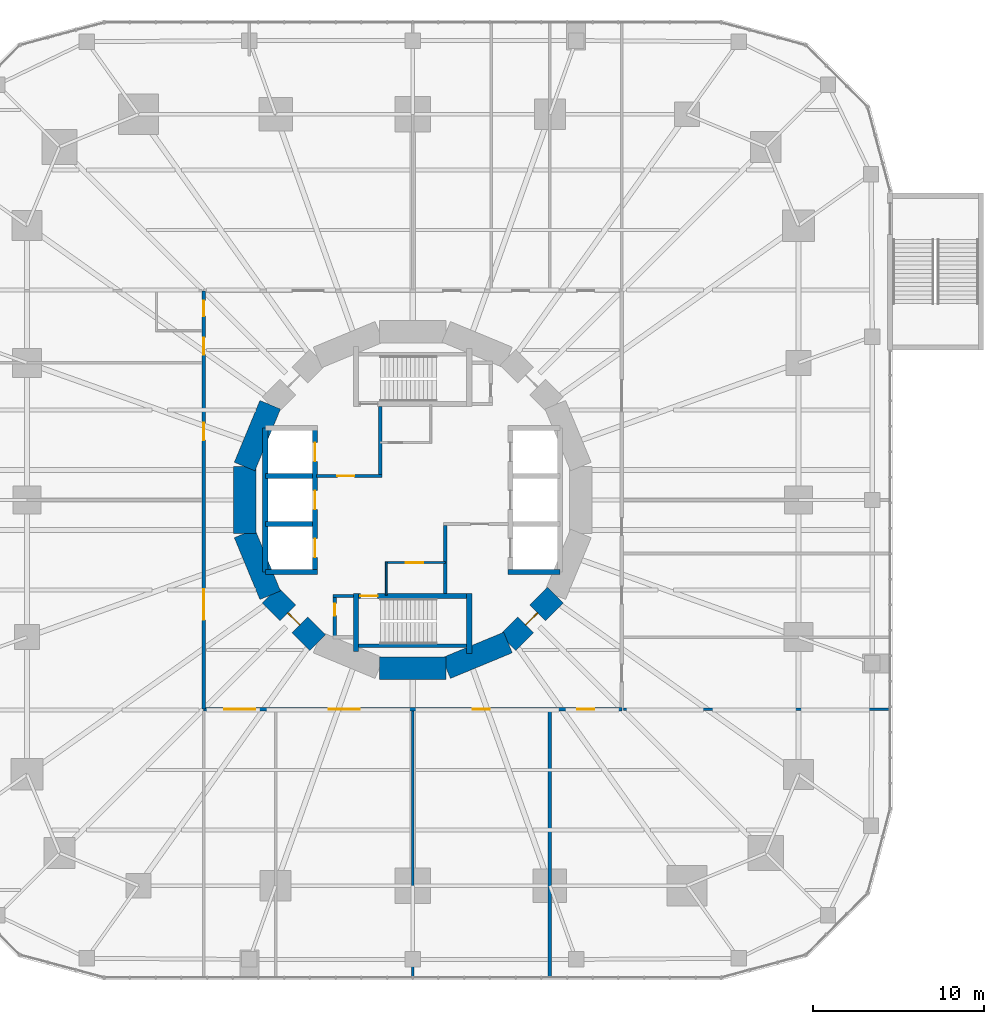
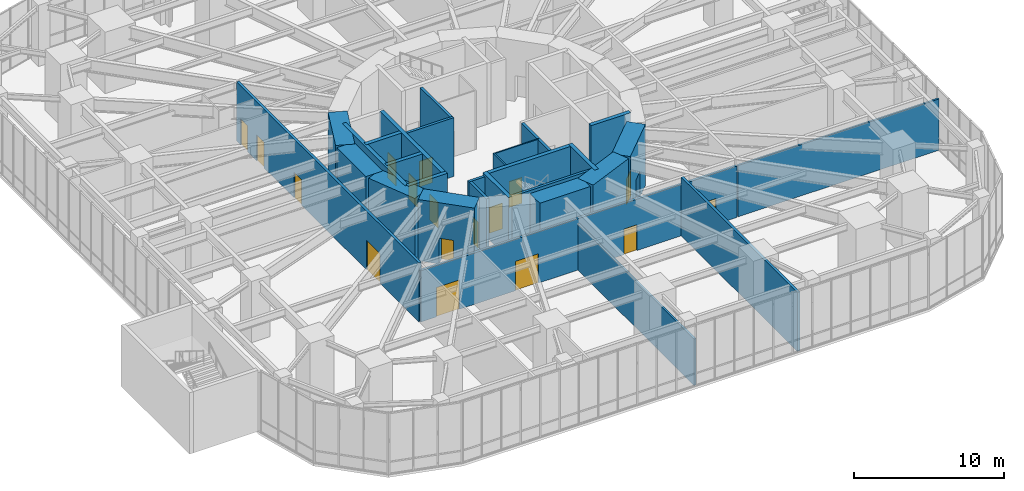
# One storey, part 20 of 24: 29 walls, 17 doors, 17 openings.
"""IFC4 building model written with IfcOpenShell, lengths in metres."""

from ifc_helpers import new_model, si_unit, direction, frame, frame_2d, origin, place, context, subcontext, project, spatial, rectangle, extrude, material, layer, layer_set, type_object, element, fill, save


model = new_model("IFC4")

# Units and contexts
model_context = context("Model", 3, precision=1e-05, world=origin(), true_north=direction((0.0, 1.0)))
body_context = subcontext(model_context, "Body", "Model", "MODEL_VIEW")
ifc_project = project(units=[si_unit("LENGTHUNIT", "METRE"), si_unit("AREAUNIT", "SQUARE_METRE"), si_unit("VOLUMEUNIT", "CUBIC_METRE"), si_unit("PLANEANGLEUNIT", "RADIAN"), si_unit("MASSUNIT", "GRAM", prefix="KILO")], contexts=[model_context])

# Site, building, storey
site_placement = place(None, origin())
site = spatial("IfcSite", under=ifc_project, at=site_placement, CompositionType="ELEMENT")
building_placement = place(site_placement, origin())
building = spatial("IfcBuilding", under=site, at=building_placement, Name="Nakasero Lantern House", CompositionType="ELEMENT")
storey_placement = place(building_placement, frame((0.0, 0.0, 6.0)))
storey = spatial("IfcBuildingStorey", under=building, at=storey_placement, Name="L01", CompositionType="ELEMENT", Elevation=6.0)

# Wall, openings, doors
ifc_material_1 = material(Name="Concrete C50/60", Category="concrete")
ifc_layer_1 = layer(ifc_material_1, 0.300048828125)
ifc_layer_set_1 = layer_set([ifc_layer_1], Name="Core inner wall 300")
wall_type_1 = type_object("IfcWallType", Name="Core inner wall 300", PredefinedType="SHEAR", material=ifc_layer_set_1)
wall_1_placement = place(storey_placement, frame((-5.699951171875, -4.199951171875, 0.0), z_axis=(0.0, 0.0, 1.0), x_axis=(0.0, 1.0, 0.0)))
wall_1 = element("IfcWall", 1, at=wall_1_placement, inside=storey, type_object=wall_type_1, Name="Core inner wall L01 LW", PredefinedType="SHEAR", context=body_context, shape_type="SweptSolid", body=[
    extrude(rectangle(XDim=8.39990234375, YDim=0.300048828125, at=frame_2d((4.199951171875, 0.0))), origin(), (0.0, 0.0, 1.0), 5.0),
])
opening_1_placement = place(wall_1_placement, frame((0.85009765625, 0.0, 0.0)))
opening_1 = element("IfcOpeningElement", 2, at=opening_1_placement, cuts=wall_1, Name="Opening LD", PredefinedType="OPENING", context=body_context, shape_type="SweptSolid", body=[
    extrude(rectangle(XDim=1.10009765625, YDim=2.10009765625, at=frame_2d((0.550048828125, 1.050048828125))), frame((0.0, 0.169921875, 0.0), z_axis=(0.0, -1.0, 0.0), x_axis=(1.0, 0.0, 0.0)), (0.0, 0.0, 1.0), 0.340087890625),
])
opening_2_placement = place(wall_1_placement, frame((3.64990234375, 0.0, 0.0)))
opening_2 = element("IfcOpeningElement", 3, at=opening_2_placement, cuts=wall_1, Name="Opening LD", PredefinedType="OPENING", context=body_context, shape_type="SweptSolid", body=[
    extrude(rectangle(XDim=1.10009765625, YDim=2.10009765625, at=frame_2d((0.550048828125, 1.050048828125))), frame((0.0, 0.169921875, 0.0), z_axis=(0.0, -1.0, 0.0), x_axis=(1.0, 0.0, 0.0)), (0.0, 0.0, 1.0), 0.340087890625),
])
opening_3_placement = place(wall_1_placement, frame((6.449951171875, 0.0, 0.0)))
opening_3 = element("IfcOpeningElement", 4, at=opening_3_placement, cuts=wall_1, Name="Opening LD", PredefinedType="OPENING", context=body_context, shape_type="SweptSolid", body=[
    extrude(rectangle(XDim=1.10009765625, YDim=2.10009765625, at=frame_2d((0.550048828125, 1.050048828125))), frame((0.0, 0.169921875, 0.0), z_axis=(0.0, -1.0, 0.0), x_axis=(1.0, 0.0, 0.0)), (0.0, 0.0, 1.0), 0.340087890625),
])
ifc_material_2 = material(Name="Steel S355", Category="steel")
door_type_1 = type_object("IfcDoorType", Name="Lift landing door E120 1100", OperationType="SLIDING_TO_LEFT", PredefinedType="DOOR", material=ifc_material_2)
door_1_placement = place(opening_1_placement, origin())
door_1 = element("IfcDoor", 5, at=door_1_placement, inside=storey, type_object=door_type_1, Name="Lift landing door LW1", OperationType="SLIDING_TO_LEFT", OverallHeight=2.10009765625, OverallWidth=1.10009765625, PredefinedType="DOOR", context=body_context, shape_type="SweptSolid", body=[
    extrude(rectangle(XDim=1.10009765625, YDim=2.10009765625, at=frame_2d((0.550048828125, 1.050048828125))), frame((0.0, 0.02490234375, 0.0), z_axis=(0.0, -1.0, 0.0), x_axis=(1.0, 0.0, 0.0)), (0.0, 0.0, 1.0), 0.050048828125),
])
fill(opening_1, door_1)
door_2_placement = place(opening_2_placement, origin())
door_2 = element("IfcDoor", 6, at=door_2_placement, inside=storey, type_object=door_type_1, Name="Lift landing door LW2", OperationType="SLIDING_TO_LEFT", OverallHeight=2.10009765625, OverallWidth=1.10009765625, PredefinedType="DOOR", context=body_context, shape_type="SweptSolid", body=[
    extrude(rectangle(XDim=1.10009765625, YDim=2.10009765625, at=frame_2d((0.550048828125, 1.050048828125))), frame((0.0, 0.02490234375, 0.0), z_axis=(0.0, -1.0, 0.0), x_axis=(1.0, 0.0, 0.0)), (0.0, 0.0, 1.0), 0.050048828125),
])
fill(opening_2, door_2)
door_3_placement = place(opening_3_placement, origin())
door_3 = element("IfcDoor", 7, at=door_3_placement, inside=storey, type_object=door_type_1, Name="Lift landing door LW3", OperationType="SLIDING_TO_LEFT", OverallHeight=2.10009765625, OverallWidth=1.10009765625, PredefinedType="DOOR", context=body_context, shape_type="SweptSolid", body=[
    extrude(rectangle(XDim=1.10009765625, YDim=2.10009765625, at=frame_2d((0.550048828125, 1.050048828125))), frame((0.0, 0.02490234375, 0.0), z_axis=(0.0, -1.0, 0.0), x_axis=(1.0, 0.0, 0.0)), (0.0, 0.0, 1.0), 0.050048828125),
])
fill(opening_3, door_3)

# Walls
for number, where, z_axis, x_axis, name in (
    (8, (-8.60009765625, -4.199951171875, 0.0), (0.0, 0.0, 1.0), (1.0, 0.0, 0.0), "Core inner wall L01 LWS"),
    (9, (5.550048828125, -4.199951171875, 0.0), (0.0, 0.0, 1.0), (1.0, 0.0, 0.0), "Core inner wall L01 LES"),
):
    element("IfcWall", number, at=place(storey_placement, frame(where, z_axis=z_axis, x_axis=x_axis)), inside=storey, type_object=wall_type_1, Name=name, PredefinedType="SHEAR", context=body_context, shape_type="SweptSolid", body=[
        extrude(rectangle(XDim=3.050048828125, YDim=0.300048828125, at=frame_2d((1.52490234375, 0.0))), origin(), (0.0, 0.0, 1.0), 5.0),
    ])
wall_2_placement = place(storey_placement, frame((-8.60009765625, -4.199951171875, 0.0), z_axis=(0.0, 0.0, 1.0), x_axis=(0.0, 1.0, 0.0)))
element("IfcWall", 10, at=wall_2_placement, inside=storey, type_object=wall_type_1, Name="Core inner wall L01 LWB", PredefinedType="SHEAR", context=body_context, shape_type="SweptSolid", body=[
    extrude(rectangle(XDim=8.39990234375, YDim=0.300048828125, at=frame_2d((4.199951171875, 0.0))), origin(), (0.0, 0.0, 1.0), 5.0),
])
for number, where, z_axis, x_axis, name in (
    (11, (-8.60009765625, -1.39990234375, 0.0), (0.0, 0.0, 1.0), (1.0, 0.0, 0.0), "Core inner wall L01 LW1"),
    (12, (-8.60009765625, 1.39990234375, 0.0), (0.0, 0.0, 1.0), (1.0, 0.0, 0.0), "Core inner wall L01 LW2"),
):
    element("IfcWall", number, at=place(storey_placement, frame(where, z_axis=z_axis, x_axis=x_axis)), inside=storey, type_object=wall_type_1, Name=name, PredefinedType="SHEAR", context=body_context, shape_type="SweptSolid", body=[
        extrude(rectangle(XDim=2.75, YDim=0.300048828125, at=frame_2d((1.375, 0.0))), origin(), (0.0, 0.0, 1.0), 5.0),
    ])

# Wall, opening, door
wall_3_placement = place(storey_placement, frame((-3.449951171875, -5.60009765625, 0.0), z_axis=(0.0, 0.0, 1.0), x_axis=(1.0, 0.0, 0.0)))
wall_3 = element("IfcWall", 13, at=wall_3_placement, inside=storey, type_object=wall_type_1, Name="Core inner wall L01 SS", PredefinedType="SHEAR", context=body_context, shape_type="SweptSolid", body=[
    extrude(rectangle(XDim=6.89990234375, YDim=0.300048828125, at=frame_2d((3.449951171875, 0.0))), origin(), (0.0, 0.0, 1.0), 5.0),
])
opening_4_placement = place(wall_3_placement, frame((0.39990234375, 0.0, 0.0)))
opening_4 = element("IfcOpeningElement", 14, at=opening_4_placement, cuts=wall_3, Name="Opening D05", PredefinedType="OPENING", context=body_context, shape_type="SweptSolid", body=[
    extrude(rectangle(XDim=1.0, YDim=2.10009765625, at=frame_2d((0.5, 1.050048828125))), frame((0.0, 0.169921875, 0.0), z_axis=(0.0, -1.0, 0.0), x_axis=(1.0, 0.0, 0.0)), (0.0, 0.0, 1.0), 0.340087890625),
])
ifc_material_3 = material(Name="Timber C24", Category="wood")
door_type_2 = type_object("IfcDoorType", Name="Core door FD60S 1000", OperationType="SINGLE_SWING_LEFT", PredefinedType="DOOR", material=ifc_material_3)
door_4_placement = place(opening_4_placement, origin())
door_4 = element("IfcDoor", 15, at=door_4_placement, inside=storey, type_object=door_type_2, Name="Door L01 D-ST2", OperationType="SINGLE_SWING_LEFT", OverallHeight=2.10009765625, OverallWidth=1.0, PredefinedType="DOOR", context=body_context, shape_type="SweptSolid", body=[
    extrude(rectangle(XDim=1.0, YDim=2.10009765625, at=frame_2d((0.5, 1.050048828125))), frame((0.0, 0.02490234375, 0.0), z_axis=(0.0, -1.0, 0.0), x_axis=(1.0, 0.0, 0.0)), (0.0, 0.0, 1.0), 0.050048828125),
])
fill(opening_4, door_4)

# Walls
wall_4_placement = place(storey_placement, frame((-3.300048828125, -5.449951171875, 0.0), z_axis=(0.0, 0.0, 1.0), x_axis=(0.0, -1.0, 0.0)))
element("IfcWall", 16, at=wall_4_placement, inside=storey, type_object=wall_type_1, Name="Core inner wall L01 SSW", PredefinedType="SHEAR", context=body_context, shape_type="SweptSolid", body=[
    extrude(rectangle(XDim=3.400146484375, YDim=0.300048828125, at=frame_2d((1.7001953125, 0.0))), origin(), (0.0, 0.0, 1.0), 5.0),
])
wall_5_placement = place(storey_placement, frame((3.300048828125, -5.449951171875, 0.0), z_axis=(0.0, 0.0, 1.0), x_axis=(0.0, -1.0, 0.0)))
element("IfcWall", 17, at=wall_5_placement, inside=storey, type_object=wall_type_1, Name="Core inner wall L01 SSE", PredefinedType="SHEAR", context=body_context, shape_type="SweptSolid", body=[
    extrude(rectangle(XDim=3.5, YDim=0.300048828125, at=frame_2d((1.75, 0.0))), origin(), (0.0, 0.0, 1.0), 5.0),
])

# Wall, opening, door
ifc_material_4 = material(Name="Blockwork", Category="masonry")
ifc_layer_2 = layer(ifc_material_4, 0.10009765625)
ifc_layer_set_2 = layer_set([ifc_layer_2], Name="Core room wall 100")
wall_type_2 = type_object("IfcWallType", Name="Core room wall 100", PredefinedType="PARTITIONING", material=ifc_layer_set_2)
wall_6_placement = place(storey_placement, frame((-1.60009765625, -3.64990234375, 0.0), z_axis=(0.0, 0.0, 1.0), x_axis=(1.0, 0.0, 0.0)))
wall_6 = element("IfcWall", 18, at=wall_6_placement, inside=storey, type_object=wall_type_2, Name="Core room wall L01 CR-SWN", PredefinedType="PARTITIONING", context=body_context, shape_type="SweptSolid", body=[
    extrude(rectangle(XDim=3.5, YDim=0.10009765625, at=frame_2d((1.75, 0.0))), origin(), (0.0, 0.0, 1.0), 4.800048828125),
])
opening_5_placement = place(wall_6_placement, frame((1.199951171875, 0.0, 0.0)))
opening_5 = element("IfcOpeningElement", 19, at=opening_5_placement, cuts=wall_6, Name="Opening D07", PredefinedType="OPENING", context=body_context, shape_type="SweptSolid", body=[
    extrude(rectangle(XDim=1.0, YDim=2.10009765625, at=frame_2d((0.5, 1.050048828125))), frame((0.0, 0.070068359375, 0.0), z_axis=(0.0, -1.0, 0.0), x_axis=(1.0, 0.0, 0.0)), (0.0, 0.0, 1.0), 0.14013671875),
])
ifc_material_5 = material(Name="Timber C24", Category="wood")
door_type_3 = type_object("IfcDoorType", Name="Room door FD30S 1000", OperationType="SINGLE_SWING_LEFT", PredefinedType="DOOR", material=ifc_material_5)
door_5_placement = place(opening_5_placement, origin())
door_5 = element("IfcDoor", 20, at=door_5_placement, inside=storey, type_object=door_type_3, Name="Door L01 D-CR-SW", OperationType="SINGLE_SWING_LEFT", OverallHeight=2.10009765625, OverallWidth=1.0, PredefinedType="DOOR", context=body_context, shape_type="SweptSolid", body=[
    extrude(rectangle(XDim=1.0, YDim=2.10009765625, at=frame_2d((0.5, 1.050048828125))), frame((0.0, 0.02490234375, 0.0), z_axis=(0.0, -1.0, 0.0), x_axis=(1.0, 0.0, 0.0)), (0.0, 0.0, 1.0), 0.050048828125),
])
fill(opening_5, door_5)

# Walls
wall_7_placement = place(storey_placement, frame((-1.550048828125, -5.550048828125, 0.0), z_axis=(0.0, 0.0, 1.0), x_axis=(0.0, 1.0, 0.0)))
element("IfcWall", 21, at=wall_7_placement, inside=storey, type_object=wall_type_2, Name="Core room wall L01 CR-SWW", PredefinedType="PARTITIONING", context=body_context, shape_type="SweptSolid", body=[
    extrude(rectangle(XDim=1.949951171875, YDim=0.10009765625, at=frame_2d((0.97509765625, 0.0))), origin(), (0.0, 0.0, 1.0), 4.800048828125),
])
ifc_material_6 = material(Name="Concrete C50/60", Category="concrete")
ifc_layer_3 = layer(ifc_material_6, 1.300048828125)
ifc_layer_set_3 = layer_set([ifc_layer_3], Name="Core wall 1300")
wall_type_3 = type_object("IfcWallType", Name="Core wall 1300", PredefinedType="SHEAR", material=ifc_layer_set_3)
for number, where, z_axis, x_axis, name in (
    (22, (-8.314697265625, 5.5556640625, 0.0), (0.0, 0.0, 1.0), (-0.382690736062, -0.923876507187, 0.0), "Core wall L01 facet 7"),
    (23, (-9.807861328125, 1.950927734375, 0.0), (0.0, 0.0, 1.0), (0.0, -1.0, 0.0), "Core wall L01 facet 8"),
    (24, (-9.807861328125, -1.950927734375, 0.0), (0.0, 0.0, 1.0), (0.382690736062, -0.923876507187, 0.0), "Core wall L01 facet 9"),
):
    element("IfcWall", number, at=place(storey_placement, frame(where, z_axis=z_axis, x_axis=x_axis)), inside=storey, type_object=wall_type_3, Name=name, PredefinedType="SHEAR", context=body_context, shape_type="SweptSolid", body=[
        extrude(rectangle(XDim=3.90185546875, YDim=1.300048828125, at=frame_2d((1.950927734375, 0.0))), origin(), (0.0, 0.0, 1.0), 5.0),
    ])

# Wall, opening, door
wall_8_placement = place(storey_placement, frame((-8.314697265625, -5.5556640625, 0.0), z_axis=(0.0, 0.0, 1.0), x_axis=(0.707106781187, -0.707106781187, 0.0)))
wall_8 = element("IfcWall", 25, at=wall_8_placement, inside=storey, type_object=wall_type_3, Name="Core wall L01 facet 10", PredefinedType="SHEAR", context=body_context, shape_type="SweptSolid", body=[
    extrude(rectangle(XDim=3.90185546875, YDim=1.300048828125, at=frame_2d((1.950927734375, 0.0))), origin(), (0.0, 0.0, 1.0), 5.0),
])
opening_6_placement = place(wall_8_placement, frame((1.450927734375, 0.0, 0.0)))
opening_6 = element("IfcOpeningElement", 26, at=opening_6_placement, cuts=wall_8, Name="Opening D05", PredefinedType="OPENING", context=body_context, shape_type="SweptSolid", body=[
    extrude(rectangle(XDim=1.0, YDim=2.10009765625, at=frame_2d((0.5, 1.050048828125))), frame((0.0, 0.669921875, 0.0), z_axis=(0.0, -1.0, 0.0), x_axis=(1.0, 0.0, 0.0)), (0.0, 0.0, 1.0), 1.340087890625),
])
door_6_placement = place(opening_6_placement, origin())
door_6 = element("IfcDoor", 27, at=door_6_placement, inside=storey, type_object=door_type_2, Name="Door L01 D-CORE10", OperationType="SINGLE_SWING_LEFT", OverallHeight=2.10009765625, OverallWidth=1.0, PredefinedType="DOOR", context=body_context, shape_type="SweptSolid", body=[
    extrude(rectangle(XDim=1.0, YDim=2.10009765625, at=frame_2d((0.5, 1.050048828125))), frame((0.0, 0.02490234375, 0.0), z_axis=(0.0, -1.0, 0.0), x_axis=(1.0, 0.0, 0.0)), (0.0, 0.0, 1.0), 0.050048828125),
])
fill(opening_6, door_6)

# Walls
for number, where, z_axis, x_axis, name in (
    (28, (-1.950927734375, -9.807861328125, 0.0), (0.0, 0.0, 1.0), (1.0, 0.0, 0.0), "Core wall L01 facet 12"),
    (29, (1.950927734375, -9.807861328125, 0.0), (0.0, 0.0, 1.0), (0.923876507187, 0.382690736062, 0.0), "Core wall L01 facet 13"),
):
    element("IfcWall", number, at=place(storey_placement, frame(where, z_axis=z_axis, x_axis=x_axis)), inside=storey, type_object=wall_type_3, Name=name, PredefinedType="SHEAR", context=body_context, shape_type="SweptSolid", body=[
        extrude(rectangle(XDim=3.90185546875, YDim=1.300048828125, at=frame_2d((1.950927734375, 0.0))), origin(), (0.0, 0.0, 1.0), 5.0),
    ])

# Wall, opening, door
wall_9_placement = place(storey_placement, frame((5.5556640625, -8.314697265625, 0.0), z_axis=(0.0, 0.0, 1.0), x_axis=(0.707106781187, 0.707106781187, 0.0)))
wall_9 = element("IfcWall", 30, at=wall_9_placement, inside=storey, type_object=wall_type_3, Name="Core wall L01 facet 14", PredefinedType="SHEAR", context=body_context, shape_type="SweptSolid", body=[
    extrude(rectangle(XDim=3.90185546875, YDim=1.300048828125, at=frame_2d((1.950927734375, 0.0))), origin(), (0.0, 0.0, 1.0), 5.0),
])
opening_7_placement = place(wall_9_placement, frame((1.450927734375, 0.0, 0.0)))
opening_7 = element("IfcOpeningElement", 31, at=opening_7_placement, cuts=wall_9, Name="Opening D05", PredefinedType="OPENING", context=body_context, shape_type="SweptSolid", body=[
    extrude(rectangle(XDim=1.0, YDim=2.10009765625, at=frame_2d((0.5, 1.050048828125))), frame((0.0, 0.669921875, 0.0), z_axis=(0.0, -1.0, 0.0), x_axis=(1.0, 0.0, 0.0)), (0.0, 0.0, 1.0), 1.340087890625),
])
door_7_placement = place(opening_7_placement, origin())
door_7 = element("IfcDoor", 32, at=door_7_placement, inside=storey, type_object=door_type_2, Name="Door L01 D-CORE14", OperationType="SINGLE_SWING_LEFT", OverallHeight=2.10009765625, OverallWidth=1.0, PredefinedType="DOOR", context=body_context, shape_type="SweptSolid", body=[
    extrude(rectangle(XDim=1.0, YDim=2.10009765625, at=frame_2d((0.5, 1.050048828125))), frame((0.0, 0.02490234375, 0.0), z_axis=(0.0, -1.0, 0.0), x_axis=(1.0, 0.0, 0.0)), (0.0, 0.0, 1.0), 0.050048828125),
])
fill(opening_7, door_7)

# Wall, openings, doors
ifc_material_7 = material(Name="Blockwork", Category="masonry")
ifc_layer_4 = layer(ifc_material_7, 0.199951171875)
ifc_layer_set_4 = layer_set([ifc_layer_4], Name="Corridor wall 200")
wall_type_4 = type_object("IfcWallType", Name="Corridor wall 200", PredefinedType="PARTITIONING", material=ifc_layer_set_4)
wall_10_placement = place(storey_placement, frame((-12.199951171875, 12.199951171875, 0.0), z_axis=(0.0, 0.0, 1.0), x_axis=(0.0, -1.0, 0.0)))
wall_10 = element("IfcWall", 33, at=wall_10_placement, inside=storey, type_object=wall_type_4, Name="Corridor wall L01 CW2", PredefinedType="PARTITIONING", context=body_context, shape_type="SweptSolid", body=[
    extrude(rectangle(XDim=24.39990234375, YDim=0.199951171875, at=frame_2d((12.199951171875, 0.0))), origin(), (0.0, 0.0, 1.0), 4.800048828125),
])
opening_8_placement = place(wall_10_placement, frame((0.574951171875, 0.0, 0.0)))
opening_8 = element("IfcOpeningElement", 34, at=opening_8_placement, cuts=wall_10, Name="Opening D16", PredefinedType="OPENING", context=body_context, shape_type="SweptSolid", body=[
    extrude(rectangle(XDim=0.89990234375, YDim=2.10009765625, at=frame_2d((0.449951171875, 1.050048828125))), frame((0.0, 0.119873046875, 0.0), z_axis=(0.0, -1.0, 0.0), x_axis=(1.0, 0.0, 0.0)), (0.0, 0.0, 1.0), 0.239990234375),
])
opening_9_placement = place(wall_10_placement, frame((2.72509765625, 0.0, 0.0)))
opening_9 = element("IfcOpeningElement", 35, at=opening_9_placement, cuts=wall_10, Name="Opening D07", PredefinedType="OPENING", context=body_context, shape_type="SweptSolid", body=[
    extrude(rectangle(XDim=1.0, YDim=2.10009765625, at=frame_2d((0.5, 1.050048828125))), frame((0.0, 0.119873046875, 0.0), z_axis=(0.0, -1.0, 0.0), x_axis=(1.0, 0.0, 0.0)), (0.0, 0.0, 1.0), 0.239990234375),
])
opening_10_placement = place(wall_10_placement, frame((7.699951171875, 0.0, 0.0)))
opening_10 = element("IfcOpeningElement", 36, at=opening_10_placement, cuts=wall_10, Name="Opening D07", PredefinedType="OPENING", context=body_context, shape_type="SweptSolid", body=[
    extrude(rectangle(XDim=1.0, YDim=2.10009765625, at=frame_2d((0.5, 1.050048828125))), frame((0.0, 0.119873046875, 0.0), z_axis=(0.0, -1.0, 0.0), x_axis=(1.0, 0.0, 0.0)), (0.0, 0.0, 1.0), 0.239990234375),
])
opening_11_placement = place(wall_10_placement, frame((17.39990234375, 0.0, 0.0)))
opening_11 = element("IfcOpeningElement", 37, at=opening_11_placement, cuts=wall_10, Name="Opening D12", PredefinedType="OPENING", context=body_context, shape_type="SweptSolid", body=[
    extrude(rectangle(XDim=1.800048828125, YDim=2.39990234375, at=frame_2d((0.89990234375, 1.199951171875))), frame((0.0, 0.119873046875, 0.0), z_axis=(0.0, -1.0, 0.0), x_axis=(1.0, 0.0, 0.0)), (0.0, 0.0, 1.0), 0.239990234375),
])
ifc_material_8 = material(Name="Timber C24", Category="wood")
door_type_4 = type_object("IfcDoorType", Name="Accessible WC door 900", OperationType="SINGLE_SWING_RIGHT", PredefinedType="DOOR", material=ifc_material_8)
door_8_placement = place(opening_8_placement, origin())
door_8 = element("IfcDoor", 38, at=door_8_placement, inside=storey, type_object=door_type_4, Name="Door L01 DW2-00", OperationType="SINGLE_SWING_LEFT", OverallHeight=2.10009765625, OverallWidth=0.89990234375, PredefinedType="DOOR", context=body_context, shape_type="SweptSolid", body=[
    extrude(rectangle(XDim=0.89990234375, YDim=2.10009765625, at=frame_2d((0.449951171875, 1.050048828125))), frame((0.0, 0.02490234375, 0.0), z_axis=(0.0, -1.0, 0.0), x_axis=(1.0, 0.0, 0.0)), (0.0, 0.0, 1.0), 0.050048828125),
])
fill(opening_8, door_8)
door_9_placement = place(opening_9_placement, origin())
door_9 = element("IfcDoor", 39, at=door_9_placement, inside=storey, type_object=door_type_3, Name="Door L01 D2-00", OperationType="SINGLE_SWING_LEFT", OverallHeight=2.10009765625, OverallWidth=1.0, PredefinedType="DOOR", context=body_context, shape_type="SweptSolid", body=[
    extrude(rectangle(XDim=1.0, YDim=2.10009765625, at=frame_2d((0.5, 1.050048828125))), frame((0.0, 0.02490234375, 0.0), z_axis=(0.0, -1.0, 0.0), x_axis=(1.0, 0.0, 0.0)), (0.0, 0.0, 1.0), 0.050048828125),
])
fill(opening_9, door_9)
door_10_placement = place(opening_10_placement, origin())
door_10 = element("IfcDoor", 40, at=door_10_placement, inside=storey, type_object=door_type_3, Name="Door L01 D2-01", OperationType="SINGLE_SWING_LEFT", OverallHeight=2.10009765625, OverallWidth=1.0, PredefinedType="DOOR", context=body_context, shape_type="SweptSolid", body=[
    extrude(rectangle(XDim=1.0, YDim=2.10009765625, at=frame_2d((0.5, 1.050048828125))), frame((0.0, 0.02490234375, 0.0), z_axis=(0.0, -1.0, 0.0), x_axis=(1.0, 0.0, 0.0)), (0.0, 0.0, 1.0), 0.050048828125),
])
fill(opening_10, door_10)
ifc_material_9 = material(Name="Timber C24", Category="wood")
door_type_5 = type_object("IfcDoorType", Name="Room doors FD30S 1800", OperationType="DOUBLE_DOOR_SINGLE_SWING", PredefinedType="DOOR", material=ifc_material_9)
door_11_placement = place(opening_11_placement, origin())
door_11 = element("IfcDoor", 41, at=door_11_placement, inside=storey, type_object=door_type_5, Name="Door L01 D2-02", OperationType="DOUBLE_DOOR_SINGLE_SWING", OverallHeight=2.39990234375, OverallWidth=1.800048828125, PredefinedType="DOOR", context=body_context, shape_type="SweptSolid", body=[
    extrude(rectangle(XDim=1.800048828125, YDim=2.39990234375, at=frame_2d((0.89990234375, 1.199951171875))), frame((0.0, 0.02490234375, 0.0), z_axis=(0.0, -1.0, 0.0), x_axis=(1.0, 0.0, 0.0)), (0.0, 0.0, 1.0), 0.050048828125),
])
fill(opening_11, door_11)

wall_11_placement = place(storey_placement, frame((-12.199951171875, -12.199951171875, 0.0), z_axis=(0.0, 0.0, 1.0), x_axis=(1.0, 0.0, 0.0)))
wall_11 = element("IfcWall", 42, at=wall_11_placement, inside=storey, type_object=wall_type_4, Name="Corridor wall L01 CW3", PredefinedType="PARTITIONING", context=body_context, shape_type="SweptSolid", body=[
    extrude(rectangle(XDim=24.39990234375, YDim=0.199951171875, at=frame_2d((12.199951171875, 0.0))), origin(), (0.0, 0.0, 1.0), 4.187744140625),
])
opening_12_placement = place(wall_11_placement, frame((1.199951171875, 0.0, 0.0)))
opening_12 = element("IfcOpeningElement", 43, at=opening_12_placement, cuts=wall_11, Name="Opening D12", PredefinedType="OPENING", context=body_context, shape_type="SweptSolid", body=[
    extrude(rectangle(XDim=1.800048828125, YDim=2.39990234375, at=frame_2d((0.89990234375, 1.199951171875))), frame((0.0, 0.119873046875, 0.0), z_axis=(0.0, -1.0, 0.0), x_axis=(1.0, 0.0, 0.0)), (0.0, 0.0, 1.0), 0.239990234375),
])
opening_13_placement = place(wall_11_placement, frame((7.300048828125, 0.0, 0.0)))
opening_13 = element("IfcOpeningElement", 44, at=opening_13_placement, cuts=wall_11, Name="Opening D12", PredefinedType="OPENING", context=body_context, shape_type="SweptSolid", body=[
    extrude(rectangle(XDim=1.800048828125, YDim=2.39990234375, at=frame_2d((0.89990234375, 1.199951171875))), frame((0.0, 0.119873046875, 0.0), z_axis=(0.0, -1.0, 0.0), x_axis=(1.0, 0.0, 0.0)), (0.0, 0.0, 1.0), 0.239990234375),
])
opening_14_placement = place(wall_11_placement, frame((15.699951171875, 0.0, 0.0)))
opening_14 = element("IfcOpeningElement", 45, at=opening_14_placement, cuts=wall_11, Name="Opening D07", PredefinedType="OPENING", context=body_context, shape_type="SweptSolid", body=[
    extrude(rectangle(XDim=1.0, YDim=2.10009765625, at=frame_2d((0.5, 1.050048828125))), frame((0.0, 0.119873046875, 0.0), z_axis=(0.0, -1.0, 0.0), x_axis=(1.0, 0.0, 0.0)), (0.0, 0.0, 1.0), 0.239990234375),
])
opening_15_placement = place(wall_11_placement, frame((21.79833984375, 0.0, 0.0)))
opening_15 = element("IfcOpeningElement", 46, at=opening_15_placement, cuts=wall_11, Name="Opening D13", PredefinedType="OPENING", context=body_context, shape_type="SweptSolid", body=[
    extrude(rectangle(XDim=1.0, YDim=2.10009765625, at=frame_2d((0.5, 1.050048828125))), frame((0.0, 0.119873046875, 0.0), z_axis=(0.0, -1.0, 0.0), x_axis=(1.0, 0.0, 0.0)), (0.0, 0.0, 1.0), 0.239990234375),
])
ifc_material_10 = material(Name="Steel S355", Category="steel")
door_type_6 = type_object("IfcDoorType", Name="Plant room door FD60 1000", OperationType="SINGLE_SWING_LEFT", PredefinedType="DOOR", material=ifc_material_10)
door_12_placement = place(opening_15_placement, origin())
door_12 = element("IfcDoor", 47, at=door_12_placement, inside=storey, type_object=door_type_6, Name="Door L01 D3-03", OperationType="SINGLE_SWING_RIGHT", OverallHeight=2.10009765625, OverallWidth=1.0, PredefinedType="DOOR", context=body_context, shape_type="SweptSolid", body=[
    extrude(rectangle(XDim=1.0, YDim=2.10009765625, at=frame_2d((0.5, 1.050048828125))), frame((0.0, 0.02490234375, 0.0), z_axis=(0.0, -1.0, 0.0), x_axis=(1.0, 0.0, 0.0)), (0.0, 0.0, 1.0), 0.050048828125),
])
fill(opening_15, door_12)
door_13_placement = place(opening_14_placement, origin())
door_13 = element("IfcDoor", 48, at=door_13_placement, inside=storey, type_object=door_type_3, Name="Door L01 D3-02", OperationType="SINGLE_SWING_RIGHT", OverallHeight=2.10009765625, OverallWidth=1.0, PredefinedType="DOOR", context=body_context, shape_type="SweptSolid", body=[
    extrude(rectangle(XDim=1.0, YDim=2.10009765625, at=frame_2d((0.5, 1.050048828125))), frame((0.0, 0.02490234375, 0.0), z_axis=(0.0, -1.0, 0.0), x_axis=(1.0, 0.0, 0.0)), (0.0, 0.0, 1.0), 0.050048828125),
])
fill(opening_14, door_13)
door_14_placement = place(opening_12_placement, origin())
door_14 = element("IfcDoor", 49, at=door_14_placement, inside=storey, type_object=door_type_5, Name="Door L01 D3-00", OperationType="DOUBLE_DOOR_SINGLE_SWING", OverallHeight=2.39990234375, OverallWidth=1.800048828125, PredefinedType="DOOR", context=body_context, shape_type="SweptSolid", body=[
    extrude(rectangle(XDim=1.800048828125, YDim=2.39990234375, at=frame_2d((0.89990234375, 1.199951171875))), frame((0.0, 0.02490234375, 0.0), z_axis=(0.0, -1.0, 0.0), x_axis=(1.0, 0.0, 0.0)), (0.0, 0.0, 1.0), 0.050048828125),
])
fill(opening_12, door_14)
door_15_placement = place(opening_13_placement, origin())
door_15 = element("IfcDoor", 50, at=door_15_placement, inside=storey, type_object=door_type_5, Name="Door L01 D3-01", OperationType="DOUBLE_DOOR_SINGLE_SWING", OverallHeight=2.39990234375, OverallWidth=1.800048828125, PredefinedType="DOOR", context=body_context, shape_type="SweptSolid", body=[
    extrude(rectangle(XDim=1.800048828125, YDim=2.39990234375, at=frame_2d((0.89990234375, 1.199951171875))), frame((0.0, 0.02490234375, 0.0), z_axis=(0.0, -1.0, 0.0), x_axis=(1.0, 0.0, 0.0)), (0.0, 0.0, 1.0), 0.050048828125),
])
fill(opening_13, door_15)

# Wall, opening, door
ifc_material_11 = material(Name="Blockwork", Category="masonry")
ifc_layer_5 = layer(ifc_material_11, 0.199951171875)
ifc_layer_set_5 = layer_set([ifc_layer_5], Name="Fire lobby wall 200")
wall_type_5 = type_object("IfcWallType", Name="Fire lobby wall 200", PredefinedType="PARTITIONING", material=ifc_layer_set_5)
wall_12_placement = place(storey_placement, frame((-5.60009765625, 1.39990234375, 0.0), z_axis=(0.0, 0.0, 1.0), x_axis=(1.0, 0.0, 0.0)))
wall_12 = element("IfcWall", 51, at=wall_12_placement, inside=storey, type_object=wall_type_5, Name="Fire lobby wall L01 W-FL1S", PredefinedType="PARTITIONING", context=body_context, shape_type="SweptSolid", body=[
    extrude(rectangle(XDim=3.800048828125, YDim=0.199951171875, at=frame_2d((1.89990234375, 0.0))), origin(), (0.0, 0.0, 1.0), 4.800048828125),
])
opening_16_placement = place(wall_12_placement, frame((1.199951171875, 0.0, 0.0)))
opening_16 = element("IfcOpeningElement", 52, at=opening_16_placement, cuts=wall_12, Name="Opening D05", PredefinedType="OPENING", context=body_context, shape_type="SweptSolid", body=[
    extrude(rectangle(XDim=1.0, YDim=2.10009765625, at=frame_2d((0.5, 1.050048828125))), frame((0.0, 0.119873046875, 0.0), z_axis=(0.0, -1.0, 0.0), x_axis=(1.0, 0.0, 0.0)), (0.0, 0.0, 1.0), 0.239990234375),
])
door_16_placement = place(opening_16_placement, origin())
door_16 = element("IfcDoor", 53, at=door_16_placement, inside=storey, type_object=door_type_2, Name="Door L01 D-FL1", OperationType="SINGLE_SWING_LEFT", OverallHeight=2.10009765625, OverallWidth=1.0, PredefinedType="DOOR", context=body_context, shape_type="SweptSolid", body=[
    extrude(rectangle(XDim=1.0, YDim=2.10009765625, at=frame_2d((0.5, 1.050048828125))), frame((0.0, 0.02490234375, 0.0), z_axis=(0.0, -1.0, 0.0), x_axis=(1.0, 0.0, 0.0)), (0.0, 0.0, 1.0), 0.050048828125),
])
fill(opening_16, door_16)

# Walls
for number, where, z_axis, x_axis, name in (
    (54, (-1.89990234375, 1.5, 0.0), (0.0, 0.0, 1.0), (0.0, 1.0, 0.0), "Fire lobby wall L01 W-FL1E"),
    (55, (1.89990234375, -1.5, 0.0), (0.0, 0.0, 1.0), (0.0, -1.0, 0.0), "Fire lobby wall L01 W-FL2W"),
):
    element("IfcWall", number, at=place(storey_placement, frame(where, z_axis=z_axis, x_axis=x_axis)), inside=storey, type_object=wall_type_5, Name=name, PredefinedType="PARTITIONING", context=body_context, shape_type="SweptSolid", body=[
        extrude(rectangle(XDim=3.949951171875, YDim=0.199951171875, at=frame_2d((1.97509765625, 0.0))), origin(), (0.0, 0.0, 1.0), 4.800048828125),
    ])

# Wall, opening, door
wall_13_placement = place(storey_placement, frame((-4.550048828125, -5.60009765625, 0.0), z_axis=(0.0, 0.0, 1.0), x_axis=(0.0, -1.0, 0.0)))
wall_13 = element("IfcWall", 56, at=wall_13_placement, inside=storey, type_object=wall_type_5, Name="Fire lobby wall L01 W-RS2W", PredefinedType="PARTITIONING", context=body_context, shape_type="SweptSolid", body=[
    extrude(rectangle(XDim=2.39990234375, YDim=0.199951171875, at=frame_2d((1.199951171875, 0.0))), origin(), (0.0, 0.0, 1.0), 4.800048828125),
])
opening_17_placement = place(wall_13_placement, frame((0.449951171875, 0.0, 0.0)))
opening_17 = element("IfcOpeningElement", 57, at=opening_17_placement, cuts=wall_13, Name="Opening D06", PredefinedType="OPENING", context=body_context, shape_type="SweptSolid", body=[
    extrude(rectangle(XDim=0.699951171875, YDim=2.10009765625, at=frame_2d((0.35009765625, 1.050048828125))), frame((0.0, 0.119873046875, 0.0), z_axis=(0.0, -1.0, 0.0), x_axis=(1.0, 0.0, 0.0)), (0.0, 0.0, 1.0), 0.239990234375),
])
ifc_material_12 = material(Name="Steel S355", Category="steel")
door_type_7 = type_object("IfcDoorType", Name="Riser door FD60 700", OperationType="SINGLE_SWING_LEFT", PredefinedType="DOOR", material=ifc_material_12)
door_17_placement = place(opening_17_placement, origin())
door_17 = element("IfcDoor", 58, at=door_17_placement, inside=storey, type_object=door_type_7, Name="Door L01 D-RS2", OperationType="SINGLE_SWING_LEFT", OverallHeight=2.10009765625, OverallWidth=0.699951171875, PredefinedType="DOOR", context=body_context, shape_type="SweptSolid", body=[
    extrude(rectangle(XDim=0.699951171875, YDim=2.10009765625, at=frame_2d((0.35009765625, 1.050048828125))), frame((0.0, 0.02490234375, 0.0), z_axis=(0.0, -1.0, 0.0), x_axis=(1.0, 0.0, 0.0)), (0.0, 0.0, 1.0), 0.050048828125),
])
fill(opening_17, door_17)

# Walls
wall_14_placement = place(storey_placement, frame((-3.449951171875, -5.60009765625, 0.0), z_axis=(0.0, 0.0, 1.0), x_axis=(-1.0, 0.0, 0.0)))
element("IfcWall", 59, at=wall_14_placement, inside=storey, type_object=wall_type_5, Name="Fire lobby wall L01 W-RS2N", PredefinedType="PARTITIONING", context=body_context, shape_type="SweptSolid", body=[
    extrude(rectangle(XDim=1.199951171875, YDim=0.199951171875, at=frame_2d((0.60009765625, 0.0))), origin(), (0.0, 0.0, 1.0), 4.800048828125),
])
wall_15_placement = place(storey_placement, frame((-3.300048828125, -8.5, 0.0), z_axis=(0.0, 0.0, 1.0), x_axis=(1.0, 0.0, 0.0)))
element("IfcWall", 60, at=wall_15_placement, inside=storey, type_object=wall_type_5, Name="Fire lobby wall L01 W-STS", PredefinedType="PARTITIONING", context=body_context, shape_type="SweptSolid", body=[
    extrude(rectangle(XDim=6.60009765625, YDim=0.199951171875, at=frame_2d((3.300048828125, 0.0))), origin(), (0.0, 0.0, 1.0), 4.800048828125),
])
wall_16_placement = place(storey_placement, frame((8.0, -12.300048828125, 0.0), z_axis=(0.0, 0.0, 1.0), x_axis=(0.0, -1.0, 0.0)))
element("IfcWall", 61, at=wall_16_placement, inside=storey, type_object=wall_type_5, Name="Fire lobby wall L01 PW3-03", PredefinedType="PARTITIONING", context=body_context, shape_type="SweptSolid", body=[
    extrude(rectangle(XDim=15.550048828125, YDim=0.199951171875, at=frame_2d((7.77490234375, 0.0))), origin(), (0.0, 0.0, 1.0), 4.800048828125),
])
ifc_material_13 = material(Name="Blockwork", Category="masonry")
ifc_layer_6 = layer(ifc_material_13, 0.14990234375)
ifc_layer_set_6 = layer_set([ifc_layer_6], Name="Party wall 150")
wall_type_6 = type_object("IfcWallType", Name="Party wall 150", PredefinedType="PARTITIONING", material=ifc_layer_set_6)
wall_17_placement = place(storey_placement, frame((12.300048828125, -12.199951171875, 0.0), z_axis=(0.0, 0.0, 1.0), x_axis=(1.0, 0.0, 0.0)))
element("IfcWall", 62, at=wall_17_placement, inside=storey, type_object=wall_type_6, Name="Party wall L01 PW0-00", PredefinedType="PARTITIONING", context=body_context, shape_type="SweptSolid", body=[
    extrude(rectangle(XDim=15.550048828125, YDim=0.14990234375, at=frame_2d((7.77490234375, 0.0))), origin(), (0.0, 0.0, 1.0), 4.187744140625),
])
wall_18_placement = place(storey_placement, frame((0.0, -12.300048828125, 0.0), z_axis=(0.0, 0.0, 1.0), x_axis=(0.0, -1.0, 0.0)))
element("IfcWall", 63, at=wall_18_placement, inside=storey, type_object=wall_type_6, Name="Party wall L01 PW3-02", PredefinedType="PARTITIONING", context=body_context, shape_type="SweptSolid", body=[
    extrude(rectangle(XDim=15.550048828125, YDim=0.14990234375, at=frame_2d((7.77490234375, 0.0))), origin(), (0.0, 0.0, 1.0), 3.800048828125),
])

save(model, "model.ifc")
